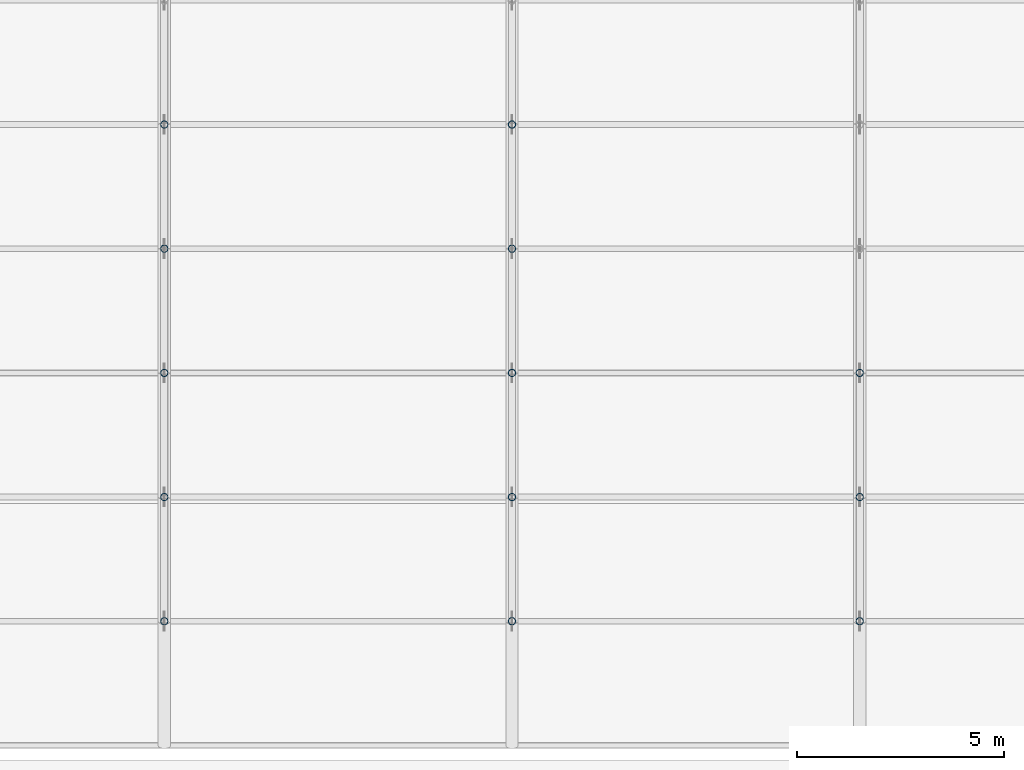
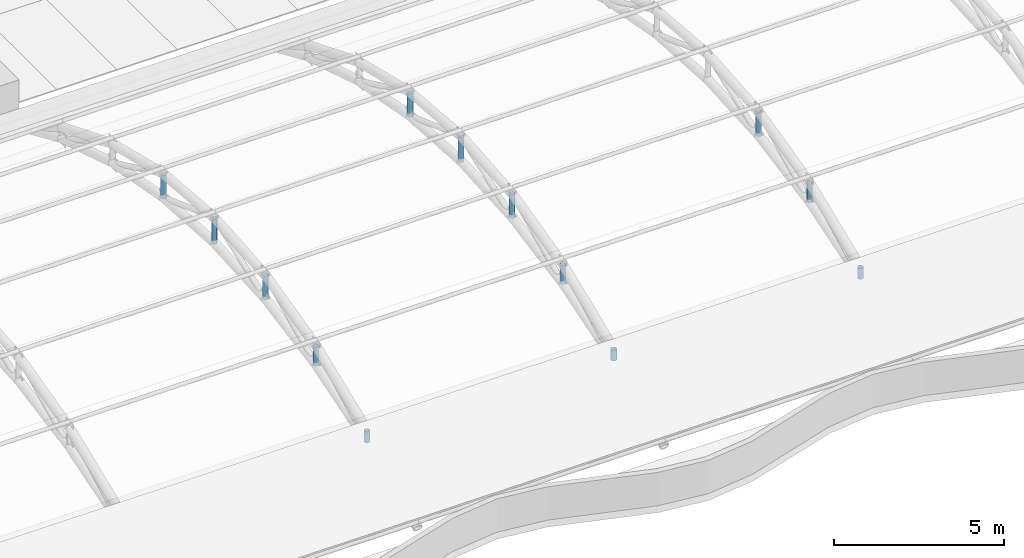
# One storey, part 81 of 163: 13 members.
"""IFC4 building model written with IfcOpenShell, lengths in metres."""

from ifc_helpers import new_model, si_unit, direction, frame, origin, origin_2d, place, context, subcontext, project, spatial, hollow_circle, extrude, material, material_profile, profile_set, type_object, element, save


model = new_model("IFC4")

# Units and contexts
model_context = context("Model", 3, precision=1e-05, world=origin(), true_north=direction((0.0, 1.0)))
body_context = subcontext(model_context, "Body", "Model", "MODEL_VIEW")
ifc_project = project(units=[si_unit("LENGTHUNIT", "METRE"), si_unit("AREAUNIT", "SQUARE_METRE"), si_unit("VOLUMEUNIT", "CUBIC_METRE"), si_unit("PLANEANGLEUNIT", "RADIAN"), si_unit("MASSUNIT", "GRAM", prefix="KILO")], contexts=[model_context])

# Site, building, storey
site_placement = place(None, origin())
site = spatial("IfcSite", under=ifc_project, at=site_placement, CompositionType="ELEMENT")
building_placement = place(site_placement, origin())
building = spatial("IfcBuilding", under=site, at=building_placement, Name="Rain Tree Exposition and Congress Centre", CompositionType="ELEMENT")
storey_placement = place(building_placement, frame((0.0, 0.0, 10.5)))
storey = spatial("IfcBuildingStorey", under=building, at=storey_placement, Name="L02", CompositionType="ELEMENT", Elevation=10.5)

# Members
ifc_material = material(Name="Steel S355J2H", Category="steel")
ifc_material_profile = material_profile(ifc_material, hollow_circle(Radius=0.090087890625, WallThickness=0.008056640625, at=origin_2d()), Name="CHS 180x8")
ifc_profile_set = profile_set([ifc_material_profile], Name="Steel S355J2H")
member_type = type_object("IfcMemberType", Name="Steel post member CHS 180x8", PredefinedType="POST", material=ifc_profile_set)
member_1_placement = place(storey_placement, frame((126.0, 78.60009765625, 1.4423828125), z_axis=(0.0, 0.0, 1.0), x_axis=(1.0, 0.0, 0.0)))
element("IfcMember", 1, at=member_1_placement, inside=storey, type_object=member_type, Name="Roof truss 16 post 1", PredefinedType="POST", context=body_context, shape_type="SweptSolid", body=[
    extrude(hollow_circle(Radius=0.090087890625, WallThickness=0.008056640625, at=origin_2d()), origin(), (0.0, 0.0, 1.0), 0.393798828125),
])
member_2_placement = place(storey_placement, frame((126.0, 81.60009765625, 2.3798828125), z_axis=(0.0, 0.0, 1.0), x_axis=(1.0, 0.0, 0.0)))
element("IfcMember", 2, at=member_2_placement, inside=storey, type_object=member_type, Name="Roof truss 16 post 2", PredefinedType="POST", context=body_context, shape_type="SweptSolid", body=[
    extrude(hollow_circle(Radius=0.090087890625, WallThickness=0.008056640625, at=origin_2d()), origin(), (0.0, 0.0, 1.0), 0.675048828125),
])
member_3_placement = place(storey_placement, frame((126.0, 84.60009765625, 2.9423828125), z_axis=(0.0, 0.0, 1.0), x_axis=(1.0, 0.0, 0.0)))
element("IfcMember", 3, at=member_3_placement, inside=storey, type_object=member_type, Name="Roof truss 16 post 3", PredefinedType="POST", context=body_context, shape_type="SweptSolid", body=[
    extrude(hollow_circle(Radius=0.090087890625, WallThickness=0.008056640625, at=origin_2d()), origin(), (0.0, 0.0, 1.0), 0.843994140625),
])
member_4_placement = place(storey_placement, frame((126.0, 87.60009765625, 3.1298828125), z_axis=(0.0, 0.0, 1.0), x_axis=(1.0, 0.0, 0.0)))
element("IfcMember", 4, at=member_4_placement, inside=storey, type_object=member_type, Name="Roof truss 16 post 4", PredefinedType="POST", context=body_context, shape_type="SweptSolid", body=[
    extrude(hollow_circle(Radius=0.090087890625, WallThickness=0.008056640625, at=origin_2d()), origin(), (0.0, 0.0, 1.0), 0.900146484375),
])
member_5_placement = place(storey_placement, frame((126.0, 90.60009765625, 2.9423828125), z_axis=(0.0, 0.0, 1.0), x_axis=(1.0, 0.0, 0.0)))
element("IfcMember", 5, at=member_5_placement, inside=storey, type_object=member_type, Name="Roof truss 16 post 5", PredefinedType="POST", context=body_context, shape_type="SweptSolid", body=[
    extrude(hollow_circle(Radius=0.090087890625, WallThickness=0.008056640625, at=origin_2d()), origin(), (0.0, 0.0, 1.0), 0.843994140625),
])
member_6_placement = place(storey_placement, frame((134.39990234375, 78.60009765625, 1.4423828125), z_axis=(0.0, 0.0, 1.0), x_axis=(1.0, 0.0, 0.0)))
element("IfcMember", 6, at=member_6_placement, inside=storey, type_object=member_type, Name="Roof truss 17 post 1", PredefinedType="POST", context=body_context, shape_type="SweptSolid", body=[
    extrude(hollow_circle(Radius=0.090087890625, WallThickness=0.008056640625, at=origin_2d()), origin(), (0.0, 0.0, 1.0), 0.393798828125),
])
member_7_placement = place(storey_placement, frame((134.39990234375, 81.60009765625, 2.3798828125), z_axis=(0.0, 0.0, 1.0), x_axis=(1.0, 0.0, 0.0)))
element("IfcMember", 7, at=member_7_placement, inside=storey, type_object=member_type, Name="Roof truss 17 post 2", PredefinedType="POST", context=body_context, shape_type="SweptSolid", body=[
    extrude(hollow_circle(Radius=0.090087890625, WallThickness=0.008056640625, at=origin_2d()), origin(), (0.0, 0.0, 1.0), 0.675048828125),
])
member_8_placement = place(storey_placement, frame((134.39990234375, 84.60009765625, 2.9423828125), z_axis=(0.0, 0.0, 1.0), x_axis=(1.0, 0.0, 0.0)))
element("IfcMember", 8, at=member_8_placement, inside=storey, type_object=member_type, Name="Roof truss 17 post 3", PredefinedType="POST", context=body_context, shape_type="SweptSolid", body=[
    extrude(hollow_circle(Radius=0.090087890625, WallThickness=0.008056640625, at=origin_2d()), origin(), (0.0, 0.0, 1.0), 0.843994140625),
])
member_9_placement = place(storey_placement, frame((134.39990234375, 87.60009765625, 3.1298828125), z_axis=(0.0, 0.0, 1.0), x_axis=(1.0, 0.0, 0.0)))
element("IfcMember", 9, at=member_9_placement, inside=storey, type_object=member_type, Name="Roof truss 17 post 4", PredefinedType="POST", context=body_context, shape_type="SweptSolid", body=[
    extrude(hollow_circle(Radius=0.090087890625, WallThickness=0.008056640625, at=origin_2d()), origin(), (0.0, 0.0, 1.0), 0.900146484375),
])
member_10_placement = place(storey_placement, frame((134.39990234375, 90.60009765625, 2.9423828125), z_axis=(0.0, 0.0, 1.0), x_axis=(1.0, 0.0, 0.0)))
element("IfcMember", 10, at=member_10_placement, inside=storey, type_object=member_type, Name="Roof truss 17 post 5", PredefinedType="POST", context=body_context, shape_type="SweptSolid", body=[
    extrude(hollow_circle(Radius=0.090087890625, WallThickness=0.008056640625, at=origin_2d()), origin(), (0.0, 0.0, 1.0), 0.843994140625),
])
member_11_placement = place(storey_placement, frame((142.800048828125, 78.60009765625, 1.4423828125), z_axis=(0.0, 0.0, 1.0), x_axis=(1.0, 0.0, 0.0)))
element("IfcMember", 11, at=member_11_placement, inside=storey, type_object=member_type, Name="Roof truss 18 post 1", PredefinedType="POST", context=body_context, shape_type="SweptSolid", body=[
    extrude(hollow_circle(Radius=0.090087890625, WallThickness=0.008056640625, at=origin_2d()), origin(), (0.0, 0.0, 1.0), 0.393798828125),
])
member_12_placement = place(storey_placement, frame((142.800048828125, 81.60009765625, 2.3798828125), z_axis=(0.0, 0.0, 1.0), x_axis=(1.0, 0.0, 0.0)))
element("IfcMember", 12, at=member_12_placement, inside=storey, type_object=member_type, Name="Roof truss 18 post 2", PredefinedType="POST", context=body_context, shape_type="SweptSolid", body=[
    extrude(hollow_circle(Radius=0.090087890625, WallThickness=0.008056640625, at=origin_2d()), origin(), (0.0, 0.0, 1.0), 0.675048828125),
])
member_13_placement = place(storey_placement, frame((142.800048828125, 84.60009765625, 2.9423828125), z_axis=(0.0, 0.0, 1.0), x_axis=(1.0, 0.0, 0.0)))
element("IfcMember", 13, at=member_13_placement, inside=storey, type_object=member_type, Name="Roof truss 18 post 3", PredefinedType="POST", context=body_context, shape_type="SweptSolid", body=[
    extrude(hollow_circle(Radius=0.090087890625, WallThickness=0.008056640625, at=origin_2d()), origin(), (0.0, 0.0, 1.0), 0.843994140625),
])

save(model, "model.ifc")
